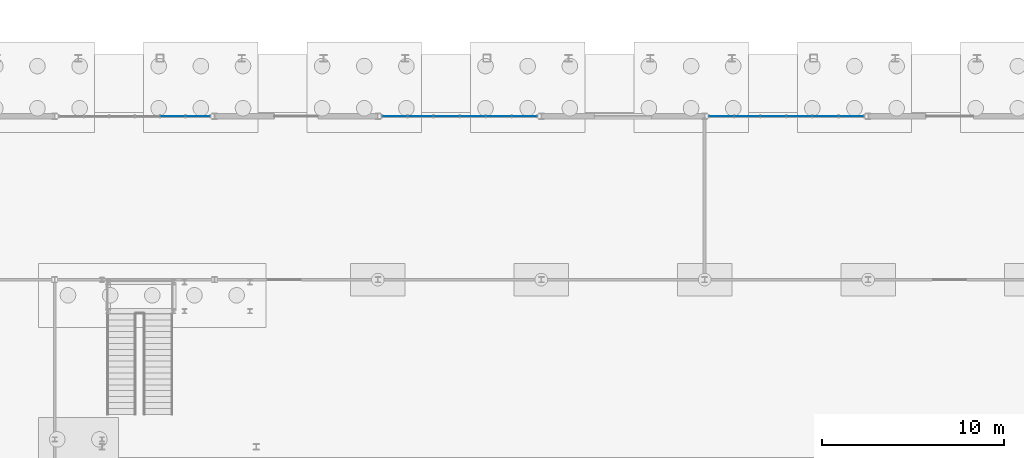
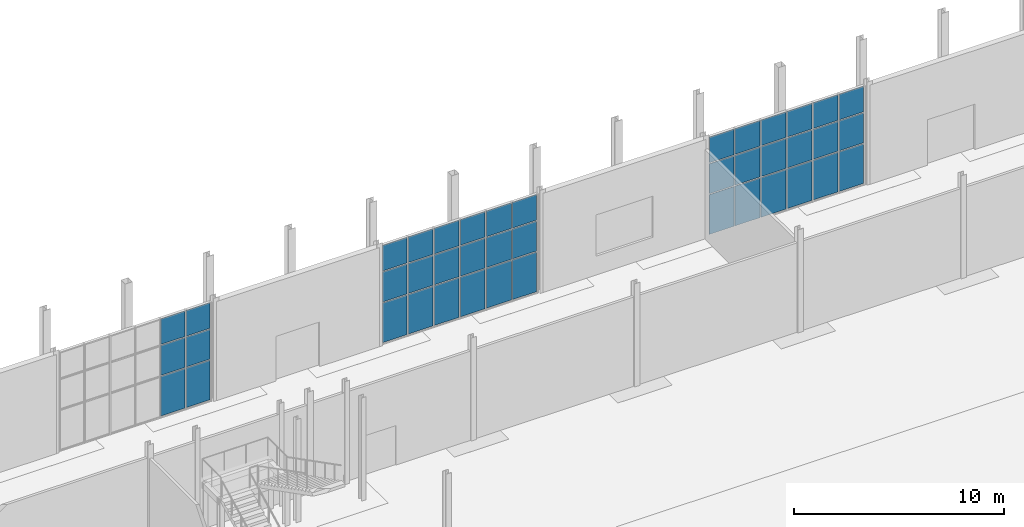
# One storey, part 86 of 131: 42 plates, 3 elements without a shape of their own.
"""IFC4 building model written with IfcOpenShell, lengths in metres."""

from ifc_helpers import new_model, si_unit, direction, frame, origin, origin_2d, place, context, subcontext, project, spatial, rectangle, extrude, material, layer, layer_set, type_object, element, aggregate, save


model = new_model("IFC4")

# Units and contexts
model_context = context("Model", 3, precision=1e-05, world=origin(), true_north=direction((0.0, 1.0)))
body_context = subcontext(model_context, "Body", "Model", "MODEL_VIEW")
ifc_project = project(units=[si_unit("LENGTHUNIT", "METRE"), si_unit("AREAUNIT", "SQUARE_METRE"), si_unit("VOLUMEUNIT", "CUBIC_METRE"), si_unit("PLANEANGLEUNIT", "RADIAN"), si_unit("MASSUNIT", "GRAM", prefix="KILO")], contexts=[model_context])

# Site, building, storey
site_placement = place(None, origin())
site = spatial("IfcSite", under=ifc_project, at=site_placement, CompositionType="ELEMENT")
building_placement = place(site_placement, origin())
building = spatial("IfcBuilding", under=site, at=building_placement, Name="Cazmaro Siding Exhibition Halls", CompositionType="ELEMENT")
storey_placement = place(building_placement, origin())
storey = spatial("IfcBuildingStorey", under=building, at=storey_placement, Name="L00", CompositionType="ELEMENT", Elevation=0.0)

# Curtain wall, plates
ifc_material_1 = material(Name="Anodized Bronze Aluminum and Solar-Control Low-E Glazing", Category="aluminium")
ifc_layer_1 = layer(ifc_material_1, 0.179931640625)
ifc_layer_set_1 = layer_set([ifc_layer_1], Name="Anodized Bronze Aluminum and Solar-Control Low-E Glazing")
curtain_wall_type = type_object("IfcCurtainWallType", Name="CWS-01", PredefinedType="USERDEFINED", material=ifc_layer_set_1)
curtain_wall_1_placement = place(storey_placement, origin())
curtain_wall_1 = element("IfcCurtainWall", 1, at=curtain_wall_1_placement, inside=storey, type_object=curtain_wall_type, Name="Glazed Curtain Wall CWS-01 CW-006", ObjectType="GLAZED CURTAIN WALL", PredefinedType="USERDEFINED")
ifc_material_2 = material(Name="Solar-Control Low-E Double Insulating Glass", Category="glass")
ifc_layer_2 = layer(ifc_material_2, 0.02392578125)
ifc_layer_set_2 = layer_set([ifc_layer_2], Name="Solar-Control Low-E Double Insulating Glass")
plate_type = type_object("IfcPlateType", Name="CWP-01", PredefinedType="CURTAIN_PANEL", material=ifc_layer_set_2)
plate_1_placement = place(storey_placement, frame((65.08740234375, 120.800048828125, 0.06005859375), z_axis=(0.0, 0.0, 1.0), x_axis=(-1.0, 0.0, 0.0)))
plate_1 = element("IfcPlate", 2, at=plate_1_placement, type_object=plate_type, Name="CWS-01 panel 1.1", PredefinedType="CURTAIN_PANEL", context=body_context, shape_type="SweptSolid", body=[
    extrude(rectangle(XDim=1.31103515625, YDim=0.02392578125, at=origin_2d()), origin(), (0.0, 0.0, 1.0), 2.31005859375),
])
plate_2_placement = place(storey_placement, frame((65.08740234375, 120.800048828125, 2.43017578125), z_axis=(0.0, 0.0, 1.0), x_axis=(-1.0, 0.0, 0.0)))
plate_2 = element("IfcPlate", 3, at=plate_2_placement, type_object=plate_type, Name="CWS-01 panel 1.2", PredefinedType="CURTAIN_PANEL", context=body_context, shape_type="SweptSolid", body=[
    extrude(rectangle(XDim=1.31103515625, YDim=0.02392578125, at=origin_2d()), origin(), (0.0, 0.0, 1.0), 1.739990234375),
])
plate_3_placement = place(storey_placement, frame((65.08740234375, 120.800048828125, 4.22998046875), z_axis=(0.0, 0.0, 1.0), x_axis=(-1.0, 0.0, 0.0)))
plate_3 = element("IfcPlate", 4, at=plate_3_placement, type_object=plate_type, Name="CWS-01 panel 1.3", PredefinedType="CURTAIN_PANEL", context=body_context, shape_type="SweptSolid", body=[
    extrude(rectangle(XDim=1.31103515625, YDim=0.02392578125, at=origin_2d()), origin(), (0.0, 0.0, 1.0), 1.489990234375),
])
plate_4_placement = place(storey_placement, frame((63.701416015625, 120.800048828125, 0.06005859375), z_axis=(0.0, 0.0, 1.0), x_axis=(-1.0, 0.0, 0.0)))
plate_4 = element("IfcPlate", 5, at=plate_4_placement, type_object=plate_type, Name="CWS-01 panel 2.1", PredefinedType="CURTAIN_PANEL", context=body_context, shape_type="SweptSolid", body=[
    extrude(rectangle(XDim=1.341064453125, YDim=0.02392578125, at=origin_2d()), origin(), (0.0, 0.0, 1.0), 2.31005859375),
])
plate_5_placement = place(storey_placement, frame((63.701416015625, 120.800048828125, 2.43017578125), z_axis=(0.0, 0.0, 1.0), x_axis=(-1.0, 0.0, 0.0)))
plate_5 = element("IfcPlate", 6, at=plate_5_placement, type_object=plate_type, Name="CWS-01 panel 2.2", PredefinedType="CURTAIN_PANEL", context=body_context, shape_type="SweptSolid", body=[
    extrude(rectangle(XDim=1.341064453125, YDim=0.02392578125, at=origin_2d()), origin(), (0.0, 0.0, 1.0), 1.739990234375),
])
plate_6_placement = place(storey_placement, frame((63.701416015625, 120.800048828125, 4.22998046875), z_axis=(0.0, 0.0, 1.0), x_axis=(-1.0, 0.0, 0.0)))
plate_6 = element("IfcPlate", 7, at=plate_6_placement, type_object=plate_type, Name="CWS-01 panel 2.3", PredefinedType="CURTAIN_PANEL", context=body_context, shape_type="SweptSolid", body=[
    extrude(rectangle(XDim=1.341064453125, YDim=0.02392578125, at=origin_2d()), origin(), (0.0, 0.0, 1.0), 1.489990234375),
])
aggregate(curtain_wall_1, [plate_1, plate_2, plate_3, plate_4, plate_5, plate_6])

curtain_wall_2_placement = place(storey_placement, origin())
curtain_wall_2 = element("IfcCurtainWall", 8, at=curtain_wall_2_placement, inside=storey, type_object=curtain_wall_type, Name="Glazed Curtain Wall CWS-01 CW-014", ObjectType="GLAZED CURTAIN WALL", PredefinedType="USERDEFINED")
plate_7_placement = place(storey_placement, frame((83.07080078125, 120.800048828125, 0.06005859375), z_axis=(0.0, 0.0, 1.0), x_axis=(-1.0, 0.0, 0.0)))
plate_7 = element("IfcPlate", 9, at=plate_7_placement, type_object=plate_type, Name="CWS-01 panel 1.1", PredefinedType="CURTAIN_PANEL", context=body_context, shape_type="SweptSolid", body=[
    extrude(rectangle(XDim=1.34423828125, YDim=0.02392578125, at=origin_2d()), origin(), (0.0, 0.0, 1.0), 2.31005859375),
])
plate_8_placement = place(storey_placement, frame((83.07080078125, 120.800048828125, 2.43017578125), z_axis=(0.0, 0.0, 1.0), x_axis=(-1.0, 0.0, 0.0)))
plate_8 = element("IfcPlate", 10, at=plate_8_placement, type_object=plate_type, Name="CWS-01 panel 1.2", PredefinedType="CURTAIN_PANEL", context=body_context, shape_type="SweptSolid", body=[
    extrude(rectangle(XDim=1.34423828125, YDim=0.02392578125, at=origin_2d()), origin(), (0.0, 0.0, 1.0), 1.739990234375),
])
plate_9_placement = place(storey_placement, frame((83.07080078125, 120.800048828125, 4.22998046875), z_axis=(0.0, 0.0, 1.0), x_axis=(-1.0, 0.0, 0.0)))
plate_9 = element("IfcPlate", 11, at=plate_9_placement, type_object=plate_type, Name="CWS-01 panel 1.3", PredefinedType="CURTAIN_PANEL", context=body_context, shape_type="SweptSolid", body=[
    extrude(rectangle(XDim=1.34423828125, YDim=0.02392578125, at=origin_2d()), origin(), (0.0, 0.0, 1.0), 1.489990234375),
])
plate_10_placement = place(storey_placement, frame((81.651611328125, 120.800048828125, 0.06005859375), z_axis=(0.0, 0.0, 1.0), x_axis=(-1.0, 0.0, 0.0)))
plate_10 = element("IfcPlate", 12, at=plate_10_placement, type_object=plate_type, Name="CWS-01 panel 2.1", PredefinedType="CURTAIN_PANEL", context=body_context, shape_type="SweptSolid", body=[
    extrude(rectangle(XDim=1.374267578125, YDim=0.02392578125, at=origin_2d()), origin(), (0.0, 0.0, 1.0), 2.31005859375),
])
plate_11_placement = place(storey_placement, frame((81.651611328125, 120.800048828125, 2.43017578125), z_axis=(0.0, 0.0, 1.0), x_axis=(-1.0, 0.0, 0.0)))
plate_11 = element("IfcPlate", 13, at=plate_11_placement, type_object=plate_type, Name="CWS-01 panel 2.2", PredefinedType="CURTAIN_PANEL", context=body_context, shape_type="SweptSolid", body=[
    extrude(rectangle(XDim=1.374267578125, YDim=0.02392578125, at=origin_2d()), origin(), (0.0, 0.0, 1.0), 1.739990234375),
])
plate_12_placement = place(storey_placement, frame((81.651611328125, 120.800048828125, 4.22998046875), z_axis=(0.0, 0.0, 1.0), x_axis=(-1.0, 0.0, 0.0)))
plate_12 = element("IfcPlate", 14, at=plate_12_placement, type_object=plate_type, Name="CWS-01 panel 2.3", PredefinedType="CURTAIN_PANEL", context=body_context, shape_type="SweptSolid", body=[
    extrude(rectangle(XDim=1.374267578125, YDim=0.02392578125, at=origin_2d()), origin(), (0.0, 0.0, 1.0), 1.489990234375),
])
plate_13_placement = place(storey_placement, frame((80.21728515625, 120.800048828125, 0.06005859375), z_axis=(0.0, 0.0, 1.0), x_axis=(-1.0, 0.0, 0.0)))
plate_13 = element("IfcPlate", 15, at=plate_13_placement, type_object=plate_type, Name="CWS-01 panel 3.1", PredefinedType="CURTAIN_PANEL", context=body_context, shape_type="SweptSolid", body=[
    extrude(rectangle(XDim=1.374267578125, YDim=0.02392578125, at=origin_2d()), origin(), (0.0, 0.0, 1.0), 2.31005859375),
])
plate_14_placement = place(storey_placement, frame((80.21728515625, 120.800048828125, 2.43017578125), z_axis=(0.0, 0.0, 1.0), x_axis=(-1.0, 0.0, 0.0)))
plate_14 = element("IfcPlate", 16, at=plate_14_placement, type_object=plate_type, Name="CWS-01 panel 3.2", PredefinedType="CURTAIN_PANEL", context=body_context, shape_type="SweptSolid", body=[
    extrude(rectangle(XDim=1.374267578125, YDim=0.02392578125, at=origin_2d()), origin(), (0.0, 0.0, 1.0), 1.739990234375),
])
plate_15_placement = place(storey_placement, frame((80.21728515625, 120.800048828125, 4.22998046875), z_axis=(0.0, 0.0, 1.0), x_axis=(-1.0, 0.0, 0.0)))
plate_15 = element("IfcPlate", 17, at=plate_15_placement, type_object=plate_type, Name="CWS-01 panel 3.3", PredefinedType="CURTAIN_PANEL", context=body_context, shape_type="SweptSolid", body=[
    extrude(rectangle(XDim=1.374267578125, YDim=0.02392578125, at=origin_2d()), origin(), (0.0, 0.0, 1.0), 1.489990234375),
])
plate_16_placement = place(storey_placement, frame((78.78271484375, 120.800048828125, 0.06005859375), z_axis=(0.0, 0.0, 1.0), x_axis=(-1.0, 0.0, 0.0)))
plate_16 = element("IfcPlate", 18, at=plate_16_placement, type_object=plate_type, Name="CWS-01 panel 4.1", PredefinedType="CURTAIN_PANEL", context=body_context, shape_type="SweptSolid", body=[
    extrude(rectangle(XDim=1.374267578125, YDim=0.02392578125, at=origin_2d()), origin(), (0.0, 0.0, 1.0), 2.31005859375),
])
plate_17_placement = place(storey_placement, frame((78.78271484375, 120.800048828125, 2.43017578125), z_axis=(0.0, 0.0, 1.0), x_axis=(-1.0, 0.0, 0.0)))
plate_17 = element("IfcPlate", 19, at=plate_17_placement, type_object=plate_type, Name="CWS-01 panel 4.2", PredefinedType="CURTAIN_PANEL", context=body_context, shape_type="SweptSolid", body=[
    extrude(rectangle(XDim=1.374267578125, YDim=0.02392578125, at=origin_2d()), origin(), (0.0, 0.0, 1.0), 1.739990234375),
])
plate_18_placement = place(storey_placement, frame((78.78271484375, 120.800048828125, 4.22998046875), z_axis=(0.0, 0.0, 1.0), x_axis=(-1.0, 0.0, 0.0)))
plate_18 = element("IfcPlate", 20, at=plate_18_placement, type_object=plate_type, Name="CWS-01 panel 4.3", PredefinedType="CURTAIN_PANEL", context=body_context, shape_type="SweptSolid", body=[
    extrude(rectangle(XDim=1.374267578125, YDim=0.02392578125, at=origin_2d()), origin(), (0.0, 0.0, 1.0), 1.489990234375),
])
plate_19_placement = place(storey_placement, frame((77.348388671875, 120.800048828125, 0.06005859375), z_axis=(0.0, 0.0, 1.0), x_axis=(-1.0, 0.0, 0.0)))
plate_19 = element("IfcPlate", 21, at=plate_19_placement, type_object=plate_type, Name="CWS-01 panel 5.1", PredefinedType="CURTAIN_PANEL", context=body_context, shape_type="SweptSolid", body=[
    extrude(rectangle(XDim=1.374267578125, YDim=0.02392578125, at=origin_2d()), origin(), (0.0, 0.0, 1.0), 2.31005859375),
])
plate_20_placement = place(storey_placement, frame((77.348388671875, 120.800048828125, 2.43017578125), z_axis=(0.0, 0.0, 1.0), x_axis=(-1.0, 0.0, 0.0)))
plate_20 = element("IfcPlate", 22, at=plate_20_placement, type_object=plate_type, Name="CWS-01 panel 5.2", PredefinedType="CURTAIN_PANEL", context=body_context, shape_type="SweptSolid", body=[
    extrude(rectangle(XDim=1.374267578125, YDim=0.02392578125, at=origin_2d()), origin(), (0.0, 0.0, 1.0), 1.739990234375),
])
plate_21_placement = place(storey_placement, frame((77.348388671875, 120.800048828125, 4.22998046875), z_axis=(0.0, 0.0, 1.0), x_axis=(-1.0, 0.0, 0.0)))
plate_21 = element("IfcPlate", 23, at=plate_21_placement, type_object=plate_type, Name="CWS-01 panel 5.3", PredefinedType="CURTAIN_PANEL", context=body_context, shape_type="SweptSolid", body=[
    extrude(rectangle(XDim=1.374267578125, YDim=0.02392578125, at=origin_2d()), origin(), (0.0, 0.0, 1.0), 1.489990234375),
])
plate_22_placement = place(storey_placement, frame((75.92919921875, 120.800048828125, 0.06005859375), z_axis=(0.0, 0.0, 1.0), x_axis=(-1.0, 0.0, 0.0)))
plate_22 = element("IfcPlate", 24, at=plate_22_placement, type_object=plate_type, Name="CWS-01 panel 6.1", PredefinedType="CURTAIN_PANEL", context=body_context, shape_type="SweptSolid", body=[
    extrude(rectangle(XDim=1.34423828125, YDim=0.02392578125, at=origin_2d()), origin(), (0.0, 0.0, 1.0), 2.31005859375),
])
plate_23_placement = place(storey_placement, frame((75.92919921875, 120.800048828125, 2.43017578125), z_axis=(0.0, 0.0, 1.0), x_axis=(-1.0, 0.0, 0.0)))
plate_23 = element("IfcPlate", 25, at=plate_23_placement, type_object=plate_type, Name="CWS-01 panel 6.2", PredefinedType="CURTAIN_PANEL", context=body_context, shape_type="SweptSolid", body=[
    extrude(rectangle(XDim=1.34423828125, YDim=0.02392578125, at=origin_2d()), origin(), (0.0, 0.0, 1.0), 1.739990234375),
])
plate_24_placement = place(storey_placement, frame((75.92919921875, 120.800048828125, 4.22998046875), z_axis=(0.0, 0.0, 1.0), x_axis=(-1.0, 0.0, 0.0)))
plate_24 = element("IfcPlate", 26, at=plate_24_placement, type_object=plate_type, Name="CWS-01 panel 6.3", PredefinedType="CURTAIN_PANEL", context=body_context, shape_type="SweptSolid", body=[
    extrude(rectangle(XDim=1.34423828125, YDim=0.02392578125, at=origin_2d()), origin(), (0.0, 0.0, 1.0), 1.489990234375),
])
aggregate(curtain_wall_2, [plate_7, plate_8, plate_9, plate_10, plate_11, plate_12, plate_13, plate_14, plate_15, plate_16, plate_17, plate_18, plate_19, plate_20, plate_21, plate_22, plate_23, plate_24])

curtain_wall_3_placement = place(storey_placement, origin())
curtain_wall_3 = element("IfcCurtainWall", 27, at=curtain_wall_3_placement, inside=storey, type_object=curtain_wall_type, Name="Glazed Curtain Wall CWS-01 CW-022", ObjectType="GLAZED CURTAIN WALL", PredefinedType="USERDEFINED")
plate_25_placement = place(storey_placement, frame((101.07080078125, 120.800048828125, 0.06005859375), z_axis=(0.0, 0.0, 1.0), x_axis=(-1.0, 0.0, 0.0)))
plate_25 = element("IfcPlate", 28, at=plate_25_placement, type_object=plate_type, Name="CWS-01 panel 1.1", PredefinedType="CURTAIN_PANEL", context=body_context, shape_type="SweptSolid", body=[
    extrude(rectangle(XDim=1.34423828125, YDim=0.02392578125, at=origin_2d()), origin(), (0.0, 0.0, 1.0), 2.31005859375),
])
plate_26_placement = place(storey_placement, frame((101.07080078125, 120.800048828125, 2.43017578125), z_axis=(0.0, 0.0, 1.0), x_axis=(-1.0, 0.0, 0.0)))
plate_26 = element("IfcPlate", 29, at=plate_26_placement, type_object=plate_type, Name="CWS-01 panel 1.2", PredefinedType="CURTAIN_PANEL", context=body_context, shape_type="SweptSolid", body=[
    extrude(rectangle(XDim=1.34423828125, YDim=0.02392578125, at=origin_2d()), origin(), (0.0, 0.0, 1.0), 1.739990234375),
])
plate_27_placement = place(storey_placement, frame((101.07080078125, 120.800048828125, 4.22998046875), z_axis=(0.0, 0.0, 1.0), x_axis=(-1.0, 0.0, 0.0)))
plate_27 = element("IfcPlate", 30, at=plate_27_placement, type_object=plate_type, Name="CWS-01 panel 1.3", PredefinedType="CURTAIN_PANEL", context=body_context, shape_type="SweptSolid", body=[
    extrude(rectangle(XDim=1.34423828125, YDim=0.02392578125, at=origin_2d()), origin(), (0.0, 0.0, 1.0), 1.489990234375),
])
plate_28_placement = place(storey_placement, frame((99.651611328125, 120.800048828125, 0.06005859375), z_axis=(0.0, 0.0, 1.0), x_axis=(-1.0, 0.0, 0.0)))
plate_28 = element("IfcPlate", 31, at=plate_28_placement, type_object=plate_type, Name="CWS-01 panel 2.1", PredefinedType="CURTAIN_PANEL", context=body_context, shape_type="SweptSolid", body=[
    extrude(rectangle(XDim=1.374267578125, YDim=0.02392578125, at=origin_2d()), origin(), (0.0, 0.0, 1.0), 2.31005859375),
])
plate_29_placement = place(storey_placement, frame((99.651611328125, 120.800048828125, 2.43017578125), z_axis=(0.0, 0.0, 1.0), x_axis=(-1.0, 0.0, 0.0)))
plate_29 = element("IfcPlate", 32, at=plate_29_placement, type_object=plate_type, Name="CWS-01 panel 2.2", PredefinedType="CURTAIN_PANEL", context=body_context, shape_type="SweptSolid", body=[
    extrude(rectangle(XDim=1.374267578125, YDim=0.02392578125, at=origin_2d()), origin(), (0.0, 0.0, 1.0), 1.739990234375),
])
plate_30_placement = place(storey_placement, frame((99.651611328125, 120.800048828125, 4.22998046875), z_axis=(0.0, 0.0, 1.0), x_axis=(-1.0, 0.0, 0.0)))
plate_30 = element("IfcPlate", 33, at=plate_30_placement, type_object=plate_type, Name="CWS-01 panel 2.3", PredefinedType="CURTAIN_PANEL", context=body_context, shape_type="SweptSolid", body=[
    extrude(rectangle(XDim=1.374267578125, YDim=0.02392578125, at=origin_2d()), origin(), (0.0, 0.0, 1.0), 1.489990234375),
])
plate_31_placement = place(storey_placement, frame((98.21728515625, 120.800048828125, 0.06005859375), z_axis=(0.0, 0.0, 1.0), x_axis=(-1.0, 0.0, 0.0)))
plate_31 = element("IfcPlate", 34, at=plate_31_placement, type_object=plate_type, Name="CWS-01 panel 3.1", PredefinedType="CURTAIN_PANEL", context=body_context, shape_type="SweptSolid", body=[
    extrude(rectangle(XDim=1.374267578125, YDim=0.02392578125, at=origin_2d()), origin(), (0.0, 0.0, 1.0), 2.31005859375),
])
plate_32_placement = place(storey_placement, frame((98.21728515625, 120.800048828125, 2.43017578125), z_axis=(0.0, 0.0, 1.0), x_axis=(-1.0, 0.0, 0.0)))
plate_32 = element("IfcPlate", 35, at=plate_32_placement, type_object=plate_type, Name="CWS-01 panel 3.2", PredefinedType="CURTAIN_PANEL", context=body_context, shape_type="SweptSolid", body=[
    extrude(rectangle(XDim=1.374267578125, YDim=0.02392578125, at=origin_2d()), origin(), (0.0, 0.0, 1.0), 1.739990234375),
])
plate_33_placement = place(storey_placement, frame((98.21728515625, 120.800048828125, 4.22998046875), z_axis=(0.0, 0.0, 1.0), x_axis=(-1.0, 0.0, 0.0)))
plate_33 = element("IfcPlate", 36, at=plate_33_placement, type_object=plate_type, Name="CWS-01 panel 3.3", PredefinedType="CURTAIN_PANEL", context=body_context, shape_type="SweptSolid", body=[
    extrude(rectangle(XDim=1.374267578125, YDim=0.02392578125, at=origin_2d()), origin(), (0.0, 0.0, 1.0), 1.489990234375),
])
plate_34_placement = place(storey_placement, frame((96.78271484375, 120.800048828125, 0.06005859375), z_axis=(0.0, 0.0, 1.0), x_axis=(-1.0, 0.0, 0.0)))
plate_34 = element("IfcPlate", 37, at=plate_34_placement, type_object=plate_type, Name="CWS-01 panel 4.1", PredefinedType="CURTAIN_PANEL", context=body_context, shape_type="SweptSolid", body=[
    extrude(rectangle(XDim=1.374267578125, YDim=0.02392578125, at=origin_2d()), origin(), (0.0, 0.0, 1.0), 2.31005859375),
])
plate_35_placement = place(storey_placement, frame((96.78271484375, 120.800048828125, 2.43017578125), z_axis=(0.0, 0.0, 1.0), x_axis=(-1.0, 0.0, 0.0)))
plate_35 = element("IfcPlate", 38, at=plate_35_placement, type_object=plate_type, Name="CWS-01 panel 4.2", PredefinedType="CURTAIN_PANEL", context=body_context, shape_type="SweptSolid", body=[
    extrude(rectangle(XDim=1.374267578125, YDim=0.02392578125, at=origin_2d()), origin(), (0.0, 0.0, 1.0), 1.739990234375),
])
plate_36_placement = place(storey_placement, frame((96.78271484375, 120.800048828125, 4.22998046875), z_axis=(0.0, 0.0, 1.0), x_axis=(-1.0, 0.0, 0.0)))
plate_36 = element("IfcPlate", 39, at=plate_36_placement, type_object=plate_type, Name="CWS-01 panel 4.3", PredefinedType="CURTAIN_PANEL", context=body_context, shape_type="SweptSolid", body=[
    extrude(rectangle(XDim=1.374267578125, YDim=0.02392578125, at=origin_2d()), origin(), (0.0, 0.0, 1.0), 1.489990234375),
])
plate_37_placement = place(storey_placement, frame((95.348388671875, 120.800048828125, 0.06005859375), z_axis=(0.0, 0.0, 1.0), x_axis=(-1.0, 0.0, 0.0)))
plate_37 = element("IfcPlate", 40, at=plate_37_placement, type_object=plate_type, Name="CWS-01 panel 5.1", PredefinedType="CURTAIN_PANEL", context=body_context, shape_type="SweptSolid", body=[
    extrude(rectangle(XDim=1.374267578125, YDim=0.02392578125, at=origin_2d()), origin(), (0.0, 0.0, 1.0), 2.31005859375),
])
plate_38_placement = place(storey_placement, frame((95.348388671875, 120.800048828125, 2.43017578125), z_axis=(0.0, 0.0, 1.0), x_axis=(-1.0, 0.0, 0.0)))
plate_38 = element("IfcPlate", 41, at=plate_38_placement, type_object=plate_type, Name="CWS-01 panel 5.2", PredefinedType="CURTAIN_PANEL", context=body_context, shape_type="SweptSolid", body=[
    extrude(rectangle(XDim=1.374267578125, YDim=0.02392578125, at=origin_2d()), origin(), (0.0, 0.0, 1.0), 1.739990234375),
])
plate_39_placement = place(storey_placement, frame((95.348388671875, 120.800048828125, 4.22998046875), z_axis=(0.0, 0.0, 1.0), x_axis=(-1.0, 0.0, 0.0)))
plate_39 = element("IfcPlate", 42, at=plate_39_placement, type_object=plate_type, Name="CWS-01 panel 5.3", PredefinedType="CURTAIN_PANEL", context=body_context, shape_type="SweptSolid", body=[
    extrude(rectangle(XDim=1.374267578125, YDim=0.02392578125, at=origin_2d()), origin(), (0.0, 0.0, 1.0), 1.489990234375),
])
plate_40_placement = place(storey_placement, frame((93.92919921875, 120.800048828125, 0.06005859375), z_axis=(0.0, 0.0, 1.0), x_axis=(-1.0, 0.0, 0.0)))
plate_40 = element("IfcPlate", 43, at=plate_40_placement, type_object=plate_type, Name="CWS-01 panel 6.1", PredefinedType="CURTAIN_PANEL", context=body_context, shape_type="SweptSolid", body=[
    extrude(rectangle(XDim=1.34423828125, YDim=0.02392578125, at=origin_2d()), origin(), (0.0, 0.0, 1.0), 2.31005859375),
])
plate_41_placement = place(storey_placement, frame((93.92919921875, 120.800048828125, 2.43017578125), z_axis=(0.0, 0.0, 1.0), x_axis=(-1.0, 0.0, 0.0)))
plate_41 = element("IfcPlate", 44, at=plate_41_placement, type_object=plate_type, Name="CWS-01 panel 6.2", PredefinedType="CURTAIN_PANEL", context=body_context, shape_type="SweptSolid", body=[
    extrude(rectangle(XDim=1.34423828125, YDim=0.02392578125, at=origin_2d()), origin(), (0.0, 0.0, 1.0), 1.739990234375),
])
plate_42_placement = place(storey_placement, frame((93.92919921875, 120.800048828125, 4.22998046875), z_axis=(0.0, 0.0, 1.0), x_axis=(-1.0, 0.0, 0.0)))
plate_42 = element("IfcPlate", 45, at=plate_42_placement, type_object=plate_type, Name="CWS-01 panel 6.3", PredefinedType="CURTAIN_PANEL", context=body_context, shape_type="SweptSolid", body=[
    extrude(rectangle(XDim=1.34423828125, YDim=0.02392578125, at=origin_2d()), origin(), (0.0, 0.0, 1.0), 1.489990234375),
])
aggregate(curtain_wall_3, [plate_25, plate_26, plate_27, plate_28, plate_29, plate_30, plate_31, plate_32, plate_33, plate_34, plate_35, plate_36, plate_37, plate_38, plate_39, plate_40, plate_41, plate_42])

save(model, "model.ifc")
